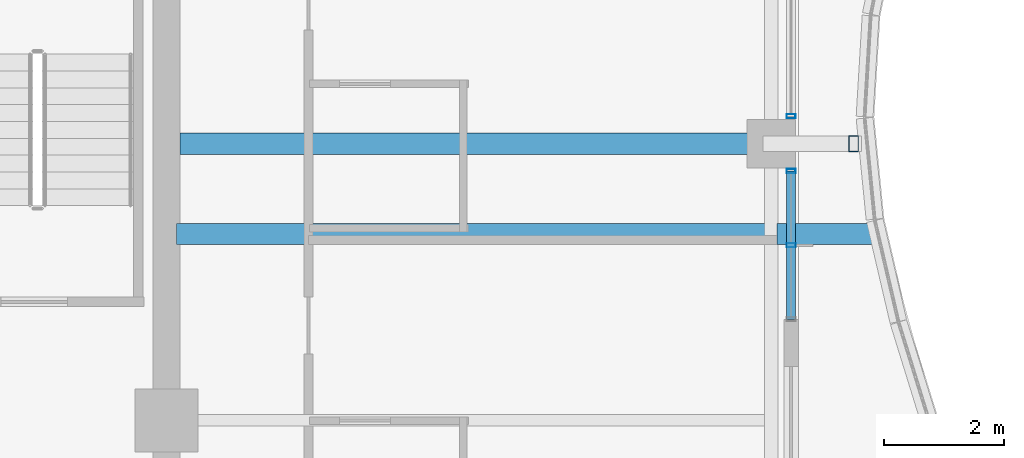
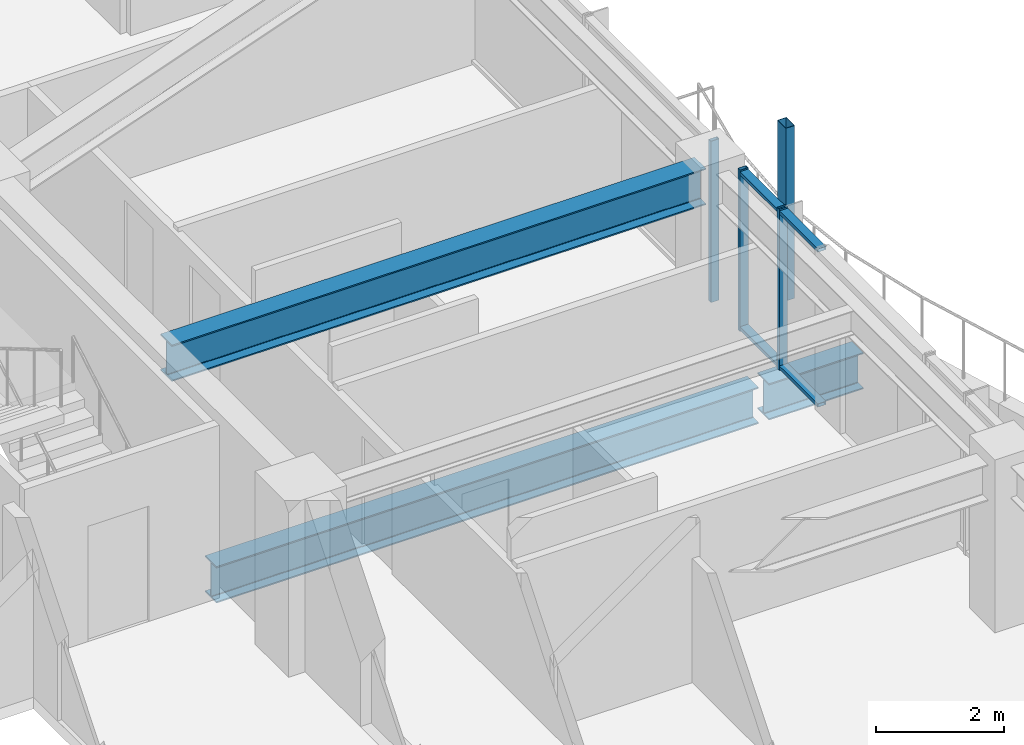
# One storey, part 15 of 35: 6 members, 3 beams, 2 elements without a shape of their own.
"""IFC4 building model written with IfcOpenShell, lengths in metres."""

from ifc_helpers import new_model, si_unit, direction, frame, origin, origin_2d, place, context, subcontext, project, spatial, hollow_rectangle, i_section, extrude, material, material_profile, profile_set, type_object, element, aggregate, save


model = new_model("IFC4")

# Units and contexts
model_context = context("Model", 3, precision=1e-05, world=origin(), true_north=direction((0.0, 1.0)))
body_context = subcontext(model_context, "Body", "Model", "MODEL_VIEW")
ifc_project = project(units=[si_unit("LENGTHUNIT", "METRE"), si_unit("AREAUNIT", "SQUARE_METRE"), si_unit("VOLUMEUNIT", "CUBIC_METRE"), si_unit("PLANEANGLEUNIT", "RADIAN"), si_unit("MASSUNIT", "GRAM", prefix="KILO")], contexts=[model_context])

# Site, building, storey
site_placement = place(None, origin())
site = spatial("IfcSite", under=ifc_project, at=site_placement, CompositionType="ELEMENT")
building_placement = place(site_placement, origin())
building = spatial("IfcBuilding", under=site, at=building_placement, Name="Kolvaren Belvedere", CompositionType="ELEMENT")
storey_placement = place(building_placement, frame((0.0, 0.0, 216.300048828125)))
storey = spatial("IfcBuildingStorey", under=building, at=storey_placement, Name="L63", CompositionType="ELEMENT", Elevation=216.300048828125)

# Beams
ifc_material_1 = material(Name="Structural steel ASTM A992 Grade 50", Category="steel")
ifc_material_profile_1 = material_profile(ifc_material_1, i_section(OverallWidth=0.35498046875, OverallDepth=0.696044921875, WebThickness=0.015380859375, FlangeThickness=0.02490234375, FilletRadius=0.02197265625, at=origin_2d()), Name="W27X146")
ifc_profile_set_1 = profile_set([ifc_material_profile_1], Name="Structural steel ASTM A992 Grade 50")
beam_type_1 = type_object("IfcBeamType", Name="BM-CANT-BAL", PredefinedType="BEAM", material=ifc_profile_set_1)
beam_1_placement = place(storey_placement, frame((20.044921875, 3.10009765625, -0.568115234375), z_axis=(1.0, 0.0, 0.0), x_axis=(0.0, 1.0, 0.0)))
element("IfcBeam", 1, at=beam_1_placement, inside=storey, type_object=beam_type_1, Name="L63 Planted Balcony Cantilever BAL-E-2", PredefinedType="BEAM", context=body_context, shape_type="SweptSolid", body=[
    extrude(i_section(OverallWidth=0.35498046875, OverallDepth=0.696044921875, WebThickness=0.015380859375, FlangeThickness=0.02490234375, FilletRadius=0.02197265625, at=origin_2d()), origin(), (0.0, 0.0, 1.0), 1.703857421875),
])
ifc_material_2 = material(Name="Structural steel ASTM A992 Grade 50", Category="steel")
ifc_material_profile_2 = material_profile(ifc_material_2, i_section(OverallWidth=0.35498046875, OverallDepth=0.696044921875, WebThickness=0.015380859375, FlangeThickness=0.02490234375, FilletRadius=0.02197265625, at=origin_2d()), Name="W27X146")
ifc_profile_set_2 = profile_set([ifc_material_profile_2], Name="Structural steel ASTM A992 Grade 50")
beam_type_2 = type_object("IfcBeamType", Name="BM-GIRD-W27X146", PredefinedType="BEAM", material=ifc_profile_set_2)
beam_2_placement = place(storey_placement, frame((10.06494140625, 3.10009765625, -0.568115234375), z_axis=(1.0, 0.0, 0.0), x_axis=(0.0, 1.0, 0.0)))
element("IfcBeam", 2, at=beam_2_placement, inside=storey, type_object=beam_type_2, Name="L63 Balcony Interior Back-Span Girder BAL-E-2", PredefinedType="BEAM", context=body_context, shape_type="SweptSolid", body=[
    extrude(i_section(OverallWidth=0.35498046875, OverallDepth=0.696044921875, WebThickness=0.015380859375, FlangeThickness=0.02490234375, FilletRadius=0.02197265625, at=origin_2d()), origin(), (0.0, 0.0, 1.0), 9.7900390625),
])
beam_3_placement = place(storey_placement, frame((10.125, 4.60009765625, 2.73193359375), z_axis=(1.0, 0.0, 0.0), x_axis=(0.0, 1.0, 0.0)))
element("IfcBeam", 3, at=beam_3_placement, inside=storey, type_object=beam_type_2, Name="L63 East Radial Girder P", PredefinedType="BEAM", context=body_context, shape_type="SweptSolid", body=[
    extrude(i_section(OverallWidth=0.35498046875, OverallDepth=0.696044921875, WebThickness=0.015380859375, FlangeThickness=0.02490234375, FilletRadius=0.02197265625, at=origin_2d()), origin(), (0.0, 0.0, 1.0), 9.64501953125),
])

# Curtain wall, member
ifc_material_3 = material(Name="Anodised pale-metal aluminium AA 6063-T6", Category="aluminium")
curtain_wall_type = type_object("IfcCurtainWallType", Name="CW-Z5-HIGH", PredefinedType="NOTDEFINED", material=ifc_material_3)
curtain_wall_1_placement = place(storey_placement, origin())
curtain_wall_1 = element("IfcCurtainWall", 4, at=curtain_wall_1_placement, inside=storey, type_object=curtain_wall_type, Name="L63 Unitised Curtain Wall FCW-L63-E1-B1", PredefinedType="NOTDEFINED")
ifc_material_4 = material(Name="Anodised pale-metal aluminium AA 6063-T6", Category="aluminium")
ifc_material_profile_3 = material_profile(ifc_material_4, hollow_rectangle(XDim=0.070068359375, YDim=0.14990234375, WallThickness=0.004150390625, at=origin_2d()), Name="ALU-MUL-150X70")
ifc_profile_set_3 = profile_set([ifc_material_profile_3], Name="Anodised pale-metal aluminium AA 6063-T6")
member_type_1 = type_object("IfcMemberType", Name="CW-MUL-150", PredefinedType="MULLION", material=ifc_profile_set_3)
member_1_placement = place(storey_placement, frame((20.280029296875, 5.054931640625, 0.0), z_axis=(0.0, 0.0, 1.0), x_axis=(0.0, 1.0, 0.0)))
member_1 = element("IfcMember", 5, at=member_1_placement, type_object=member_type_1, Name="FCW-L63-E1-B1 Unitised Mullion 3", PredefinedType="MULLION", context=body_context, shape_type="SweptSolid", body=[
    extrude(hollow_rectangle(XDim=0.070068359375, YDim=0.14990234375, WallThickness=0.004150390625, at=origin_2d()), origin(), (0.0, 0.0, 1.0), 3.079833984375),
])
aggregate(curtain_wall_1, [member_1])

# Curtain wall, members
curtain_wall_2_placement = place(storey_placement, origin())
curtain_wall_2 = element("IfcCurtainWall", 6, at=curtain_wall_2_placement, inside=storey, type_object=curtain_wall_type, Name="L63 Unitised Curtain Wall FCW-L63-E1-B2", PredefinedType="NOTDEFINED")
member_2_placement = place(storey_placement, frame((20.280029296875, 4.14501953125, 0.0), z_axis=(0.0, 0.0, 1.0), x_axis=(0.0, 1.0, 0.0)))
member_2 = element("IfcMember", 7, at=member_2_placement, type_object=member_type_1, Name="FCW-L63-E1-B2 Unitised Mullion 1", PredefinedType="MULLION", context=body_context, shape_type="SweptSolid", body=[
    extrude(hollow_rectangle(XDim=0.070068359375, YDim=0.14990234375, WallThickness=0.004150390625, at=origin_2d()), origin(), (0.0, 0.0, 1.0), 3.079833984375),
])
member_3_placement = place(storey_placement, frame((20.280029296875, 2.91259765625, 0.0), z_axis=(0.0, 0.0, 1.0), x_axis=(0.0, 1.0, 0.0)))
member_3 = element("IfcMember", 8, at=member_3_placement, type_object=member_type_1, Name="FCW-L63-E1-B2 Unitised Mullion 2", PredefinedType="MULLION", context=body_context, shape_type="SweptSolid", body=[
    extrude(hollow_rectangle(XDim=0.070068359375, YDim=0.14990234375, WallThickness=0.004150390625, at=origin_2d()), origin(), (0.0, 0.0, 1.0), 3.079833984375),
])
ifc_material_5 = material(Name="Anodised pale-metal aluminium AA 6063-T6", Category="aluminium")
ifc_material_profile_4 = material_profile(ifc_material_5, hollow_rectangle(XDim=0.06494140625, YDim=0.14990234375, WallThickness=0.00390625, at=origin_2d()), Name="ALU-TRN-150X65")
ifc_profile_set_4 = profile_set([ifc_material_profile_4], Name="Anodised pale-metal aluminium AA 6063-T6")
member_type_2 = type_object("IfcMemberType", Name="CW-TRN-150", PredefinedType="USERDEFINED", material=ifc_profile_set_4)
member_4_placement = place(storey_placement, frame((20.280029296875, 4.14501953125, 0.06005859375), z_axis=(0.0, -1.0, 0.0), x_axis=(0.0, 0.0, 1.0)))
member_4 = element("IfcMember", 9, at=member_4_placement, type_object=member_type_2, Name="FCW-L63-E1-B2 Sill Transom", ObjectType="TRANSOM", PredefinedType="USERDEFINED", context=body_context, shape_type="SweptSolid", body=[
    extrude(hollow_rectangle(XDim=0.06494140625, YDim=0.14990234375, WallThickness=0.00390625, at=origin_2d()), origin(), (0.0, 0.0, 1.0), 2.465087890625),
])
member_5_placement = place(storey_placement, frame((20.280029296875, 4.14501953125, 3.02001953125), z_axis=(0.0, -1.0, 0.0), x_axis=(0.0, 0.0, 1.0)))
member_5 = element("IfcMember", 10, at=member_5_placement, type_object=member_type_2, Name="FCW-L63-E1-B2 Head Transom", ObjectType="TRANSOM", PredefinedType="USERDEFINED", context=body_context, shape_type="SweptSolid", body=[
    extrude(hollow_rectangle(XDim=0.06494140625, YDim=0.14990234375, WallThickness=0.00390625, at=origin_2d()), origin(), (0.0, 0.0, 1.0), 2.465087890625),
])
aggregate(curtain_wall_2, [member_2, member_3, member_4, member_5])

# Member
ifc_material_6 = material(Name="Anodised pale-metal aluminium AA 6063-T6", Category="aluminium")
ifc_material_profile_5 = material_profile(ifc_material_6, hollow_rectangle(XDim=0.159912109375, YDim=0.260009765625, WallThickness=0.006591796875, at=origin_2d()), Name="ALU-PF-260X160")
ifc_profile_set_5 = profile_set([ifc_material_profile_5], Name="Anodised pale-metal aluminium AA 6063-T6")
member_type_3 = type_object("IfcMemberType", Name="PF-FRAME-260", PredefinedType="USERDEFINED", material=ifc_profile_set_5)
member_6_placement = place(storey_placement, frame((21.320068359375, 4.60009765625, 0.0), z_axis=(0.0, 0.0, 1.0), x_axis=(1.0, 0.0, 0.0)))
element("IfcMember", 11, at=member_6_placement, inside=storey, type_object=member_type_3, Name="L63 Outboard Picture-Frame Vertical E1", ObjectType="PICTURE FRAME FIN", PredefinedType="USERDEFINED", context=body_context, shape_type="SweptSolid", body=[
    extrude(hollow_rectangle(XDim=0.159912109375, YDim=0.260009765625, WallThickness=0.006591796875, at=origin_2d()), origin(), (0.0, 0.0, 1.0), 3.300048828125),
])

save(model, "model.ifc")
